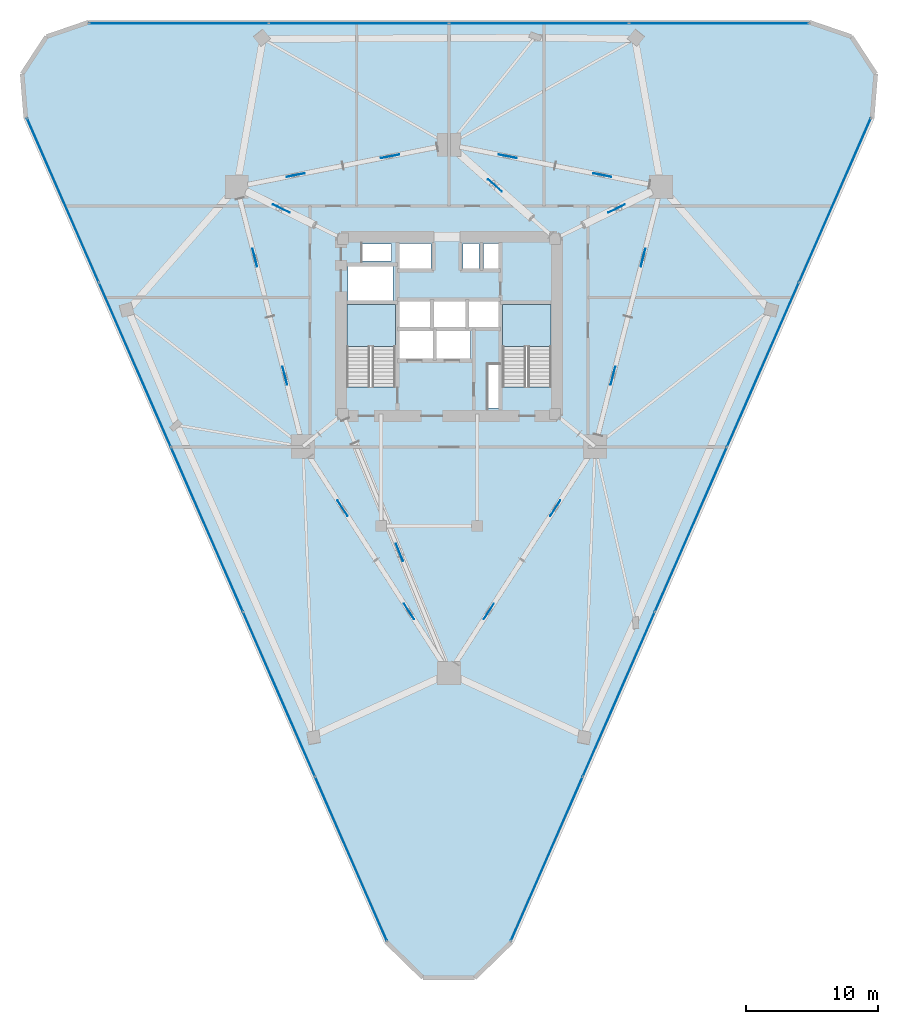
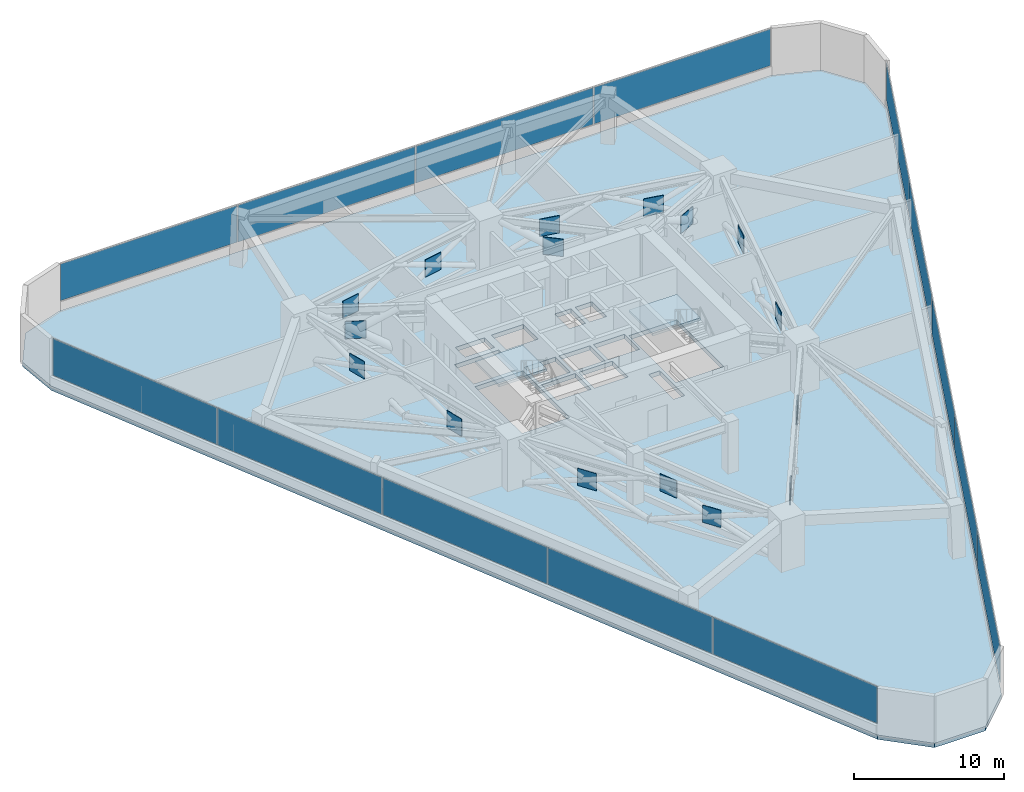
# One storey, part 15 of 20: 30 plates, 3 slabs, 5 elements without a shape of their own.
"""IFC4 building model written with IfcOpenShell, lengths in metres."""

import ifcopenshell
import ifcopenshell.guid

model = None  # the IFC model being written
_history = None  # IfcOwnerHistory: only IFC2X3 demands one
_inside = {}  # id of a spatial element -> (the spatial element, [elements in it])
_under = {}  # id of a project, library or spatial element -> (it, [spatial elements below it])
_declared = {}  # id of a project -> (the project, [libraries it declares])
_typed = {}  # id of a type object -> (the type object, [elements of that type])
_made_of = {}  # id of a material, layer set ... -> (it, [elements and type objects made of it])


def new_model(schema):
    """Start an empty IFC model of exactly this schema.

    Asked for "IFC4X3", IfcOpenShell would pick the latest addendum, in which some entities
    have other attributes; the version numbers below select the first issue.
    IFC2X3 requires an IfcOwnerHistory on every rooted entity: one is made here for all.
    """
    global model, _history
    if schema == "IFC4X3":
        model = ifcopenshell.file(schema_version=(4, 3, 0, 0))
    else:
        model = ifcopenshell.file(schema=schema)
    _inside.clear()
    _under.clear()
    _declared.clear()
    _typed.clear()
    _made_of.clear()
    _history = None
    if model.schema == "IFC2X3":
        org = make("IfcOrganization", Name="unknown")
        user = make(
            "IfcPersonAndOrganization",
            ThePerson=make("IfcPerson", FamilyName="unknown"),
            TheOrganization=org,
        )
        app = make(
            "IfcApplication",
            ApplicationDeveloper=org,
            Version="unknown",
            ApplicationFullName="unknown",
            ApplicationIdentifier="unknown",
        )
        _history = make(
            "IfcOwnerHistory",
            OwningUser=user,
            OwningApplication=app,
            ChangeAction="ADDED",
            CreationDate=0,
        )
    return model


def make(cls, **values):
    """One entity of the class cls with the attributes given. An attribute that is None is left unset."""
    return model.create_entity(
        cls, **{name: value for name, value in values.items() if value is not None}
    )


def rooted(cls, **values):
    """An entity with a GlobalId (a new one), such as an element, a storey or a relation."""
    return make(cls, GlobalId=ifcopenshell.guid.new(), OwnerHistory=_history, **values)


def si_unit(unit_type, name, prefix=None):
    """IfcSIUnit, for example si_unit("LENGTHUNIT", "METRE", prefix="MILLI")."""
    return make("IfcSIUnit", UnitType=unit_type, Prefix=prefix, Name=name)


def assignment(units):
    """IfcUnitAssignment: the units of a project."""
    return None if units is None else make("IfcUnitAssignment", Units=units)


def point(xyz):
    """IfcCartesianPoint."""
    return None if xyz is None else make("IfcCartesianPoint", Coordinates=xyz)


def direction(xyz):
    """IfcDirection."""
    return None if xyz is None else make("IfcDirection", DirectionRatios=xyz)


def frame(location, z_axis=None, x_axis=None):
    """IfcAxis2Placement3D, a coordinate frame: its origin and axes. An axis left out is left unset."""
    return make(
        "IfcAxis2Placement3D",
        Location=point(location),
        Axis=direction(z_axis),
        RefDirection=direction(x_axis),
    )


def frame_2d(location, x_axis=None):
    """IfcAxis2Placement2D, a coordinate frame in the plane: its origin and x axis."""
    return make(
        "IfcAxis2Placement2D", Location=point(location), RefDirection=direction(x_axis)
    )


def origin():
    """The frame at (0, 0, 0) with its axes left unset."""
    return frame((0.0, 0.0, 0.0))


def origin_2d():
    """The frame at (0, 0) in the plane with its x axis left unset."""
    return frame_2d((0.0, 0.0))


def place(relative_to, where):
    """IfcLocalPlacement: puts the frame where relative to a parent placement (None: the world)."""
    return make(
        "IfcLocalPlacement", PlacementRelTo=relative_to, RelativePlacement=where
    )


def context(
    kind, dimensions, precision=None, world=None, true_north=None, identifier=None
):
    """IfcGeometricRepresentationContext, for example the 3D "Model" context."""
    return make(
        "IfcGeometricRepresentationContext",
        ContextIdentifier=identifier,
        ContextType=kind,
        CoordinateSpaceDimension=dimensions,
        Precision=precision,
        WorldCoordinateSystem=world,
        TrueNorth=true_north,
    )


def subcontext(parent, identifier, kind, view, scale=None):
    """IfcGeometricRepresentationSubContext, for example "Body" below "Model"."""
    return make(
        "IfcGeometricRepresentationSubContext",
        ContextIdentifier=identifier,
        ContextType=kind,
        ParentContext=parent,
        TargetScale=scale,
        TargetView=view,
    )


def project(units=None, contexts=None):
    """IfcProject with its units and contexts."""
    return rooted(
        "IfcProject",
        Name="project",
        RepresentationContexts=contexts,
        UnitsInContext=assignment(units),
    )


def spatial(cls, under=None, at=None, **own):
    """A site, building, storey or space (cls), placed at a placement, below another one or the project."""
    s = rooted(cls, ObjectPlacement=at, **own)
    if under is not None:
        _under.setdefault(under.id(), (under, []))[1].append(s)
    return s


def polyline(points):
    """IfcPolyline through the points."""
    return make("IfcPolyline", Points=[point(p) for p in points])


def profile(cls, at=None, kind="AREA", **sizes):
    """A parametric profile (cls). Its sizes go by their IFC names, for example OverallWidth=200.0."""
    return make(cls, ProfileType=kind, Position=at, **sizes)


def rectangle(**sizes):
    """IfcRectangleProfileDef."""
    return profile("IfcRectangleProfileDef", **sizes)


def outline(outer, holes=None, kind="AREA"):
    """IfcArbitraryClosedProfileDef: a profile drawn as a closed curve; with holes, ...WithVoids."""
    if holes is None:
        return make("IfcArbitraryClosedProfileDef", ProfileType=kind, OuterCurve=outer)
    return make(
        "IfcArbitraryProfileDefWithVoids",
        ProfileType=kind,
        OuterCurve=outer,
        InnerCurves=holes,
    )


def extrude(swept, where, along, depth):
    """IfcExtrudedAreaSolid: the profile swept, set in the frame where, extruded along a direction by depth."""
    return make(
        "IfcExtrudedAreaSolid",
        SweptArea=swept,
        Position=where,
        ExtrudedDirection=direction(along),
        Depth=depth,
    )


def shape(context_of_items, identifier, shape_type, items):
    """IfcShapeRepresentation: the items that make up one representation, for example the "Body"."""
    return make(
        "IfcShapeRepresentation",
        ContextOfItems=context_of_items,
        RepresentationIdentifier=identifier,
        RepresentationType=shape_type,
        Items=items,
    )


def material(Name=None, Category=None):
    """IfcMaterial."""
    return make("IfcMaterial", Name=Name, Category=Category)


def layer(
    of_material, thickness, ventilated=None, Name=None, Category=None, Priority=None
):
    """IfcMaterialLayer: one layer of a wall or slab, of a material (None: an air gap)."""
    return make(
        "IfcMaterialLayer",
        Material=of_material,
        LayerThickness=thickness,
        IsVentilated=ventilated,
        Name=Name,
        Category=Category,
        Priority=Priority,
    )


def layer_set(layers, Name=None):
    """IfcMaterialLayerSet."""
    return make("IfcMaterialLayerSet", MaterialLayers=layers, LayerSetName=Name)


def made_of(thing, what):
    """Note that an element or type object is made of a material, layer set ...; save() writes the relation."""
    if what is not None:
        _made_of.setdefault(what.id(), (what, []))[1].append(thing)
    return thing


def type_object(cls, material=None, **own):
    """A type object (cls), such as IfcWallType, which elements share."""
    return made_of(rooted(cls, **own), material)


def element(
    cls,
    number,
    at=None,
    inside=None,
    cuts=None,
    type_object=None,
    material=None,
    context=None,
    identifier="Body",
    shape_type=None,
    held_by="IfcProductDefinitionShape",
    body=None,
    shapes=None,
    **own,
):
    """One element of the class cls, such as IfcWall. Its Tag is "e" and its number.

    at: its placement. inside: the storey or other place that contains it. cuts: it is an
    opening in that element (IfcRelVoidsElement). A single representation is given by context,
    identifier, shape_type and body (its items); several are given by shapes. held_by: the class
    of the entity that holds the representations. save() writes the other relations.
    """
    e = rooted(cls, Tag="e%d" % number, ObjectPlacement=at, **own)
    if body is not None:
        shapes = [shape(context, identifier, shape_type, body)]
    if shapes is not None:
        e.Representation = make(held_by, Representations=shapes)
    if inside is not None:
        _inside.setdefault(inside.id(), (inside, []))[1].append(e)
    if cuts is not None:
        rooted(
            "IfcRelVoidsElement", RelatingBuildingElement=cuts, RelatedOpeningElement=e
        )
    if type_object is not None:
        _typed.setdefault(type_object.id(), (type_object, []))[1].append(e)
    return made_of(e, material)


def aggregate(whole, parts):
    """IfcRelAggregates: a whole, such as a stair, and the parts it consists of."""
    return rooted("IfcRelAggregates", RelatingObject=whole, RelatedObjects=parts)


def save(model, path):
    """Write the relations noted so far, then the file.

    IfcRelAggregates (storeys below a building ...), IfcRelContainedInSpatialStructure (elements
    in a storey), IfcRelDefinesByType, IfcRelAssociatesMaterial and IfcRelDeclares: one each for
    every whole, place, type object, material and project.
    """
    for whole, parts in _under.values():
        aggregate(whole, parts)
    for where, things in _inside.values():
        rooted(
            "IfcRelContainedInSpatialStructure",
            RelatedElements=things,
            RelatingStructure=where,
        )
    for kind, things in _typed.values():
        rooted("IfcRelDefinesByType", RelatedObjects=things, RelatingType=kind)
    for what, things in _made_of.values():
        rooted("IfcRelAssociatesMaterial", RelatedObjects=things, RelatingMaterial=what)
    for by, libraries in _declared.values():
        rooted("IfcRelDeclares", RelatingContext=by, RelatedDefinitions=libraries)
    model.write(path)


model = new_model("IFC4")

# Units and contexts
model_context = context("Model", 3, precision=1e-05, world=origin(), true_north=direction((0.0, 1.0)))
body_context = subcontext(model_context, "Body", "Model", "MODEL_VIEW")
ifc_project = project(units=[si_unit("LENGTHUNIT", "METRE"), si_unit("AREAUNIT", "SQUARE_METRE"), si_unit("VOLUMEUNIT", "CUBIC_METRE"), si_unit("PLANEANGLEUNIT", "RADIAN"), si_unit("MASSUNIT", "GRAM", prefix="KILO")], contexts=[model_context])

# Site, building, storey
site_placement = place(None, origin())
site = spatial("IfcSite", under=ifc_project, at=site_placement, CompositionType="ELEMENT")
building_placement = place(site_placement, origin())
building = spatial("IfcBuilding", under=site, at=building_placement, Name="Talyreon Biosciences Tower", CompositionType="ELEMENT")
storey_placement = place(building_placement, frame((0.0, 0.0, 70.800048828125)))
storey = spatial("IfcBuildingStorey", under=building, at=storey_placement, Name="L18", CompositionType="ELEMENT", Elevation=70.800048828125)

# Curtain wall, plates
ifc_material_1 = material(Name="Thermally broken aluminium and low-E glazing", Category="aluminium")
ifc_layer_1 = layer(ifc_material_1, 0.195068359375)
ifc_layer_set_1 = layer_set([ifc_layer_1], Name="Thermally broken aluminium and low-E glazing")
curtain_wall_type = type_object("IfcCurtainWallType", Name="CurtainWall_Zone1WetLab", PredefinedType="NOTDEFINED", material=ifc_layer_set_1)
curtain_wall_1_placement = place(storey_placement, origin())
curtain_wall_1 = element("IfcCurtainWall", 1, at=curtain_wall_1_placement, inside=storey, type_object=curtain_wall_type, Name="L18 Unitised Curtain Wall FCW-L18-00", PredefinedType="NOTDEFINED")
ifc_material_2 = material(Name="Triple-silver low-E insulated glazing", Category="glass")
ifc_layer_2 = layer(ifc_material_2, 0.031982421875)
ifc_layer_set_2 = layer_set([ifc_layer_2], Name="Triple-silver low-E insulated glazing")
plate_type_1 = type_object("IfcPlateType", Name="CWGlazingPanel_32", PredefinedType="CURTAIN_PANEL", material=ifc_layer_set_2)
plate_1_placement = place(storey_placement, frame((58.56787109375, 27.5888671875, 0.875), z_axis=(0.0, 0.0, 1.0), x_axis=(-0.400831135099, 0.916151953082, 0.0)))
plate_1 = element("IfcPlate", 2, at=plate_1_placement, type_object=plate_type_1, Name="CW2 panel 1.1", PredefinedType="CURTAIN_PANEL", context=body_context, shape_type="SweptSolid", body=[
    extrude(rectangle(XDim=13.549072265625, YDim=0.031982421875, at=origin_2d()), origin(), (0.0, 0.0, 1.0), 2.985107421875),
])
plate_2_placement = place(storey_placement, frame((53.104248046875, 40.076416015625, 0.875), z_axis=(0.0, 0.0, 1.0), x_axis=(-0.400831135099, 0.916151953082, 0.0)))
plate_2 = element("IfcPlate", 3, at=plate_2_placement, type_object=plate_type_1, Name="CW2 panel 2.1", PredefinedType="CURTAIN_PANEL", context=body_context, shape_type="SweptSolid", body=[
    extrude(rectangle(XDim=13.58154296875, YDim=0.031982421875, at=origin_2d()), origin(), (0.0, 0.0, 1.0), 2.985107421875),
])
plate_3_placement = place(storey_placement, frame((47.63427734375, 52.578857421875, 0.875), z_axis=(0.0, 0.0, 1.0), x_axis=(-0.400831135099, 0.916151953082, 0.0)))
plate_3 = element("IfcPlate", 4, at=plate_3_placement, type_object=plate_type_1, Name="CW2 panel 3.1", PredefinedType="CURTAIN_PANEL", context=body_context, shape_type="SweptSolid", body=[
    extrude(rectangle(XDim=13.58154296875, YDim=0.031982421875, at=origin_2d()), origin(), (0.0, 0.0, 1.0), 2.985107421875),
])
plate_4_placement = place(storey_placement, frame((42.164306640625, 65.081298828125, 0.875), z_axis=(0.0, 0.0, 1.0), x_axis=(-0.400831135099, 0.916151953082, 0.0)))
plate_4 = element("IfcPlate", 5, at=plate_4_placement, type_object=plate_type_1, Name="CW2 panel 4.1", PredefinedType="CURTAIN_PANEL", context=body_context, shape_type="SweptSolid", body=[
    extrude(rectangle(XDim=13.58154296875, YDim=0.031982421875, at=origin_2d()), origin(), (0.0, 0.0, 1.0), 2.985107421875),
])
plate_5_placement = place(storey_placement, frame((36.700927734375, 77.568603515625, 0.875), z_axis=(0.0, 0.0, 1.0), x_axis=(-0.400831135099, 0.916151953082, 0.0)))
plate_5 = element("IfcPlate", 6, at=plate_5_placement, type_object=plate_type_1, Name="CW2 panel 5.1", PredefinedType="CURTAIN_PANEL", context=body_context, shape_type="SweptSolid", body=[
    extrude(rectangle(XDim=13.549072265625, YDim=0.031982421875, at=origin_2d()), origin(), (0.0, 0.0, 1.0), 2.985107421875),
])
aggregate(curtain_wall_1, [plate_1, plate_2, plate_3, plate_4, plate_5])

curtain_wall_2_placement = place(storey_placement, origin())
curtain_wall_2 = element("IfcCurtainWall", 7, at=curtain_wall_2_placement, inside=storey, type_object=curtain_wall_type, Name="L18 Unitised Curtain Wall FCW-L18-04", PredefinedType="NOTDEFINED")
plate_6_placement = place(storey_placement, frame((45.503662109375, 91.007080078125, 0.875), z_axis=(0.0, 0.0, 1.0), x_axis=(1.0, 0.0, 0.0)))
plate_6 = element("IfcPlate", 8, at=plate_6_placement, type_object=plate_type_1, Name="CW2 panel 1.1", PredefinedType="CURTAIN_PANEL", context=body_context, shape_type="SweptSolid", body=[
    extrude(rectangle(XDim=13.577392578125, YDim=0.031982421875, at=origin_2d()), origin(), (0.0, 0.0, 1.0), 2.985107421875),
])
plate_7_placement = place(storey_placement, frame((59.16259765625, 91.007080078125, 0.875), z_axis=(0.0, 0.0, 1.0), x_axis=(1.0, 0.0, 0.0)))
plate_7 = element("IfcPlate", 9, at=plate_7_placement, type_object=plate_type_1, Name="CW2 panel 2.1", PredefinedType="CURTAIN_PANEL", context=body_context, shape_type="SweptSolid", body=[
    extrude(rectangle(XDim=13.610107421875, YDim=0.031982421875, at=origin_2d()), origin(), (0.0, 0.0, 1.0), 2.985107421875),
])
plate_8_placement = place(storey_placement, frame((72.83740234375, 91.007080078125, 0.875), z_axis=(0.0, 0.0, 1.0), x_axis=(1.0, 0.0, 0.0)))
plate_8 = element("IfcPlate", 10, at=plate_8_placement, type_object=plate_type_1, Name="CW2 panel 3.1", PredefinedType="CURTAIN_PANEL", context=body_context, shape_type="SweptSolid", body=[
    extrude(rectangle(XDim=13.610107421875, YDim=0.031982421875, at=origin_2d()), origin(), (0.0, 0.0, 1.0), 2.985107421875),
])
plate_9_placement = place(storey_placement, frame((86.496337890625, 91.007080078125, 0.875), z_axis=(0.0, 0.0, 1.0), x_axis=(1.0, 0.0, 0.0)))
plate_9 = element("IfcPlate", 11, at=plate_9_placement, type_object=plate_type_1, Name="CW2 panel 4.1", PredefinedType="CURTAIN_PANEL", context=body_context, shape_type="SweptSolid", body=[
    extrude(rectangle(XDim=13.577392578125, YDim=0.031982421875, at=origin_2d()), origin(), (0.0, 0.0, 1.0), 2.985107421875),
])
aggregate(curtain_wall_2, [plate_6, plate_7, plate_8, plate_9])

curtain_wall_3_placement = place(storey_placement, origin())
curtain_wall_3 = element("IfcCurtainWall", 12, at=curtain_wall_3_placement, inside=storey, type_object=curtain_wall_type, Name="L18 Unitised Curtain Wall FCW-L18-08", PredefinedType="NOTDEFINED")
plate_10_placement = place(storey_placement, frame((95.299072265625, 77.568603515625, 0.875), z_axis=(0.0, 0.0, 1.0), x_axis=(-0.400831135099, -0.916151953082, 0.0)))
plate_10 = element("IfcPlate", 13, at=plate_10_placement, type_object=plate_type_1, Name="CW2 panel 1.1", PredefinedType="CURTAIN_PANEL", context=body_context, shape_type="SweptSolid", body=[
    extrude(rectangle(XDim=13.549072265625, YDim=0.031982421875, at=origin_2d()), origin(), (0.0, 0.0, 1.0), 2.985107421875),
])
plate_11_placement = place(storey_placement, frame((89.835693359375, 65.081298828125, 0.875), z_axis=(0.0, 0.0, 1.0), x_axis=(-0.400831135099, -0.916151953082, 0.0)))
plate_11 = element("IfcPlate", 14, at=plate_11_placement, type_object=plate_type_1, Name="CW2 panel 2.1", PredefinedType="CURTAIN_PANEL", context=body_context, shape_type="SweptSolid", body=[
    extrude(rectangle(XDim=13.58154296875, YDim=0.031982421875, at=origin_2d()), origin(), (0.0, 0.0, 1.0), 2.985107421875),
])
plate_12_placement = place(storey_placement, frame((84.36572265625, 52.578857421875, 0.875), z_axis=(0.0, 0.0, 1.0), x_axis=(-0.400831135099, -0.916151953082, 0.0)))
plate_12 = element("IfcPlate", 15, at=plate_12_placement, type_object=plate_type_1, Name="CW2 panel 3.1", PredefinedType="CURTAIN_PANEL", context=body_context, shape_type="SweptSolid", body=[
    extrude(rectangle(XDim=13.58154296875, YDim=0.031982421875, at=origin_2d()), origin(), (0.0, 0.0, 1.0), 2.985107421875),
])
plate_13_placement = place(storey_placement, frame((78.895751953125, 40.076416015625, 0.875), z_axis=(0.0, 0.0, 1.0), x_axis=(-0.400831135099, -0.916151953082, 0.0)))
plate_13 = element("IfcPlate", 16, at=plate_13_placement, type_object=plate_type_1, Name="CW2 panel 4.1", PredefinedType="CURTAIN_PANEL", context=body_context, shape_type="SweptSolid", body=[
    extrude(rectangle(XDim=13.58154296875, YDim=0.031982421875, at=origin_2d()), origin(), (0.0, 0.0, 1.0), 2.985107421875),
])
plate_14_placement = place(storey_placement, frame((73.43212890625, 27.5888671875, 0.875), z_axis=(0.0, 0.0, 1.0), x_axis=(-0.400831135099, -0.916151953082, 0.0)))
plate_14 = element("IfcPlate", 17, at=plate_14_placement, type_object=plate_type_1, Name="CW2 panel 5.1", PredefinedType="CURTAIN_PANEL", context=body_context, shape_type="SweptSolid", body=[
    extrude(rectangle(XDim=13.549072265625, YDim=0.031982421875, at=origin_2d()), origin(), (0.0, 0.0, 1.0), 2.985107421875),
])
aggregate(curtain_wall_3, [plate_10, plate_11, plate_12, plate_13, plate_14])

# Slab
ifc_material_3 = material(Name="Concrete C50/60", Category="concrete")
ifc_layer_3 = layer(ifc_material_3, 0.35009765625)
ifc_layer_set_3 = layer_set([ifc_layer_3], Name="Concrete C50/60")
slab_type_1 = type_object("IfcSlabType", Name="PlantOutriggerSlab_350", PredefinedType="FLOOR", material=ifc_layer_set_3)
slab_1_placement = place(storey_placement, frame((0.0, 0.0, -0.35009765625)))
element("IfcSlab", 18, at=slab_1_placement, inside=storey, type_object=slab_type_1, Name="L18 Structural Floor Slab", PredefinedType="FLOOR", context=body_context, shape_type="SweptSolid", body=[
    extrude(outline(polyline([(61.236083984375, 21.290771484375), (33.885986328125, 83.802734375), (33.60986328125, 87.166748046875), (35.45751953125, 89.99169921875), (38.64990234375, 91.087158203125), (93.35009765625, 91.087158203125), (96.54248046875, 89.99169921875), (98.39013671875, 87.166748046875), (98.114013671875, 83.802734375), (70.763916015625, 21.290771484375), (67.958251953125, 18.557861328125), (64.041748046875, 18.557861328125), (61.236083984375, 21.290771484375)]), holes=[polyline([(61.929931640625, 69.64990234375), (61.929931640625, 63.407958984375), (58.25, 63.407958984375), (58.25, 69.64990234375), (61.929931640625, 69.64990234375)]), polyline([(64.800048828125, 65.550048828125), (62.199951171875, 65.550048828125), (62.199951171875, 67.64990234375), (64.800048828125, 67.64990234375), (64.800048828125, 65.550048828125)]), polyline([(64.60009765625, 67.949951171875), (62.199951171875, 67.949951171875), (62.199951171875, 69.949951171875), (64.60009765625, 69.949951171875), (64.60009765625, 67.949951171875)]), polyline([(67.25, 69.949951171875), (67.25, 67.949951171875), (64.85009765625, 67.949951171875), (64.85009765625, 69.949951171875), (67.25, 69.949951171875)]), polyline([(61.75, 69.97998046875), (58.35009765625, 69.97998046875), (58.35009765625, 72.550048828125), (61.75, 72.550048828125), (61.75, 69.97998046875)]), polyline([(64.64990234375, 72.35009765625), (62.199951171875, 72.35009765625), (62.199951171875, 74.300048828125), (64.64990234375, 74.300048828125), (64.64990234375, 72.35009765625)]), polyline([(61.64990234375, 74.25), (61.64990234375, 72.9599609375), (59.39990234375, 72.9599609375), (59.39990234375, 74.25), (61.64990234375, 74.25)]), polyline([(69.820068359375, 61.800048828125), (68.9599609375, 61.800048828125), (68.9599609375, 65.10009765625), (69.820068359375, 65.10009765625), (69.820068359375, 61.800048828125)]), polyline([(73.75, 63.407958984375), (70.070068359375, 63.407958984375), (70.070068359375, 69.64990234375), (73.75, 69.64990234375), (73.75, 63.407958984375)]), polyline([(67.64990234375, 65.550048828125), (65.050048828125, 65.550048828125), (65.050048828125, 67.64990234375), (67.64990234375, 67.64990234375), (67.64990234375, 65.550048828125)]), polyline([(69.89990234375, 67.949951171875), (67.5, 67.949951171875), (67.5, 69.949951171875), (69.89990234375, 69.949951171875), (69.89990234375, 67.949951171875)]), polyline([(68.300048828125, 72.35009765625), (67.050048828125, 72.35009765625), (67.050048828125, 74.300048828125), (68.300048828125, 74.300048828125), (68.300048828125, 72.35009765625)]), polyline([(69.919921875, 72.35009765625), (68.6201171875, 72.35009765625), (68.6201171875, 74.300048828125), (69.919921875, 74.300048828125), (69.919921875, 72.35009765625)])]), origin(), (0.0, 0.0, 1.0), 0.35009765625),
])

# Stair, slab
ifc_material_4 = material(Name="Concrete C40/50", Category="concrete")
stair_type = type_object("IfcStairType", Name="DoglegEscapeStair_4200", PredefinedType="HALF_TURN_STAIR", material=ifc_material_4)
stair_1_placement = place(storey_placement, origin())
stair_1 = element("IfcStair", 19, at=stair_1_placement, inside=storey, type_object=stair_type, Name="L18 Core Escape Stair 1", PredefinedType="HALF_TURN_STAIR")
ifc_layer_4 = layer(ifc_material_4, 0.199951171875)
ifc_layer_set_4 = layer_set([ifc_layer_4], Name="Concrete C40/50")
slab_type_2 = type_object("IfcSlabType", Name="StairLandingSlab_200", PredefinedType="LANDING", material=ifc_layer_set_4)
slab_2_placement = place(storey_placement, frame((0.0, 0.0, 1.89990234375)))
slab_2 = element("IfcSlab", 20, at=slab_2_placement, type_object=slab_type_2, Name="ST-1 landing 1", PredefinedType="LANDING", context=body_context, shape_type="SweptSolid", body=[
    extrude(outline(polyline([(61.929931640625, 66.47998046875), (61.929931640625, 69.64990234375), (58.25, 69.64990234375), (58.25, 66.47998046875), (61.929931640625, 66.47998046875)])), origin(), (0.0, 0.0, 1.0), 0.199951171875),
])
aggregate(stair_1, [slab_2])

stair_2_placement = place(storey_placement, origin())
stair_2 = element("IfcStair", 21, at=stair_2_placement, inside=storey, type_object=stair_type, Name="L18 Core Escape Stair 2", PredefinedType="HALF_TURN_STAIR")
slab_3_placement = place(storey_placement, frame((0.0, 0.0, 1.89990234375)))
slab_3 = element("IfcSlab", 22, at=slab_3_placement, type_object=slab_type_2, Name="ST-2 landing 1", PredefinedType="LANDING", context=body_context, shape_type="SweptSolid", body=[
    extrude(outline(polyline([(73.75, 66.47998046875), (73.75, 69.64990234375), (70.070068359375, 69.64990234375), (70.070068359375, 66.47998046875), (73.75, 66.47998046875)])), origin(), (0.0, 0.0, 1.0), 0.199951171875),
])
aggregate(stair_2, [slab_3])

# Plates
ifc_material_5 = material(Name="Steel SM355", Category="steel")
ifc_layer_5 = layer(ifc_material_5, 0.035888671875)
ifc_layer_set_5 = layer_set([ifc_layer_5], Name="Steel SM355")
plate_type_2 = type_object("IfcPlateType", Name="TrussGussetNodePlate_36", PredefinedType="SHEET", material=ifc_layer_set_5)
for number, where, z_axis, x_axis, name in (
    (23, (62.24755859375, 50.842041015625, 1.257568359375), (0.0, 0.0, 1.0), (0.378535538423, -0.925586757766, 0.0), "Truss node plate NP-OUT-L18-R1-X"),
    (24, (78.72265625, 76.94140625, 1.257568359375), (0.0, 0.0, 1.0), (0.89785858505, 0.440283955252, 0.0), "Truss node plate NP-OUT-L18-R3-X"),
    (25, (69.486328125, 78.697021484375, 1.257568359375), (0.0, 0.0, 1.0), (-0.748180360492, 0.663495401773, 0.0), "Truss node plate NP-OUT-L18-R4-X"),
    (26, (53.27734375, 76.94140625, 1.257568359375), (0.0, 0.0, 1.0), (-0.89785858505, 0.440283955252, 0.0), "Truss node plate NP-OUT-L18-R5-X"),
    (27, (69.017822265625, 46.352783203125, 1.257568359375), (0.0, 0.0, 1.0), (0.54145878531, 0.840727294555, 0.0), "Truss node plate NP-BELT-L18-B1S1-X"),
    (28, (74.068359375, 54.194580078125, 1.257568359375), (0.0, 0.0, 1.0), (0.541473458687, 0.840717844189, 0.0), "Truss node plate NP-BELT-L18-B1S2-X"),
    (29, (78.452392578125, 64.2509765625, 1.257568359375), (0.0, 0.0, 1.0), (0.246542347409, 0.969132019352, 0.0), "Truss node plate NP-BELT-L18-B2S1-X"),
    (30, (80.736083984375, 73.228271484375, 1.257568359375), (0.0, 0.0, 1.0), (0.246542347409, 0.969132019352, 0.0), "Truss node plate NP-BELT-L18-B2S2-X"),
    (31, (77.630615234375, 79.484619140625, 1.257568359375), (0.0, 0.0, 1.0), (-0.980934809797, 0.194337075538, 0.0), "Truss node plate NP-BELT-L18-B3S1-X"),
    (32, (70.471923828125, 80.90283203125, 1.257568359375), (0.0, 0.0, 1.0), (-0.980934809797, 0.194337075538, 0.0), "Truss node plate NP-BELT-L18-B3S2-X"),
    (33, (61.528076171875, 80.90283203125, 1.257568359375), (0.0, 0.0, 1.0), (-0.980934809797, -0.194337075538, 0.0), "Truss node plate NP-BELT-L18-B4S1-X"),
    (34, (54.369384765625, 79.484619140625, 1.257568359375), (0.0, 0.0, 1.0), (-0.980934809797, -0.194337075538, 0.0), "Truss node plate NP-BELT-L18-B4S2-X"),
    (35, (51.263916015625, 73.228271484375, 1.257568359375), (0.0, 0.0, 1.0), (0.246542347409, -0.969132019352, 0.0), "Truss node plate NP-BELT-L18-B5S1-X"),
    (36, (53.547607421875, 64.2509765625, 1.257568359375), (0.0, 0.0, 1.0), (0.246542347409, -0.969132019352, 0.0), "Truss node plate NP-BELT-L18-B5S2-X"),
    (37, (57.931640625, 54.194580078125, 1.257568359375), (0.0, 0.0, 1.0), (0.541473458687, -0.840717844189, 0.0), "Truss node plate NP-BELT-L18-B6S1-X"),
    (38, (62.982177734375, 46.352783203125, 1.257568359375), (0.0, 0.0, 1.0), (0.54145878531, -0.840727294555, 0.0), "Truss node plate NP-BELT-L18-B6S2-X"),
):
    element("IfcPlate", number, at=place(storey_placement, frame(where, z_axis=z_axis, x_axis=x_axis)), inside=storey, type_object=plate_type_2, Name=name, PredefinedType="SHEET", context=body_context, shape_type="SweptSolid", body=[
        extrude(rectangle(XDim=1.39990234375, YDim=0.035888671875, at=origin_2d()), origin(), (0.0, 0.0, 1.0), 1.39990234375),
    ])

save(model, "model.ifc")
